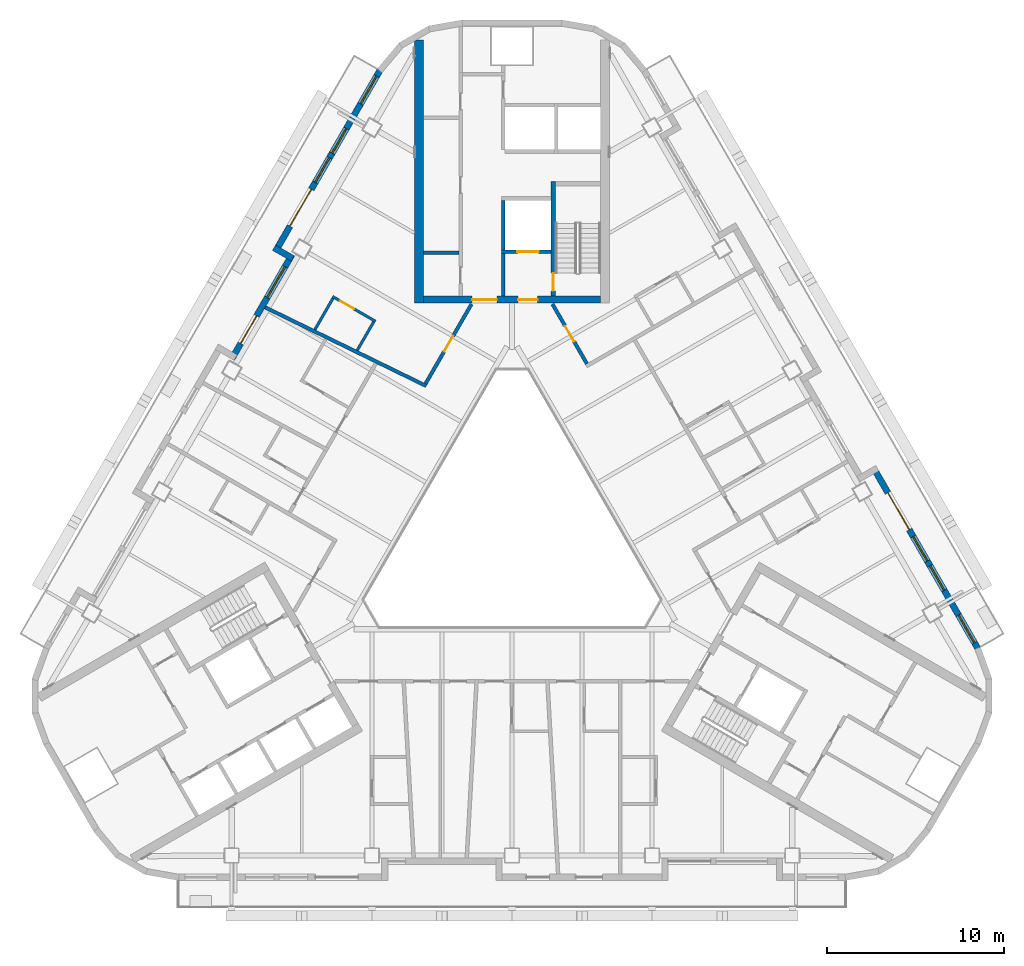
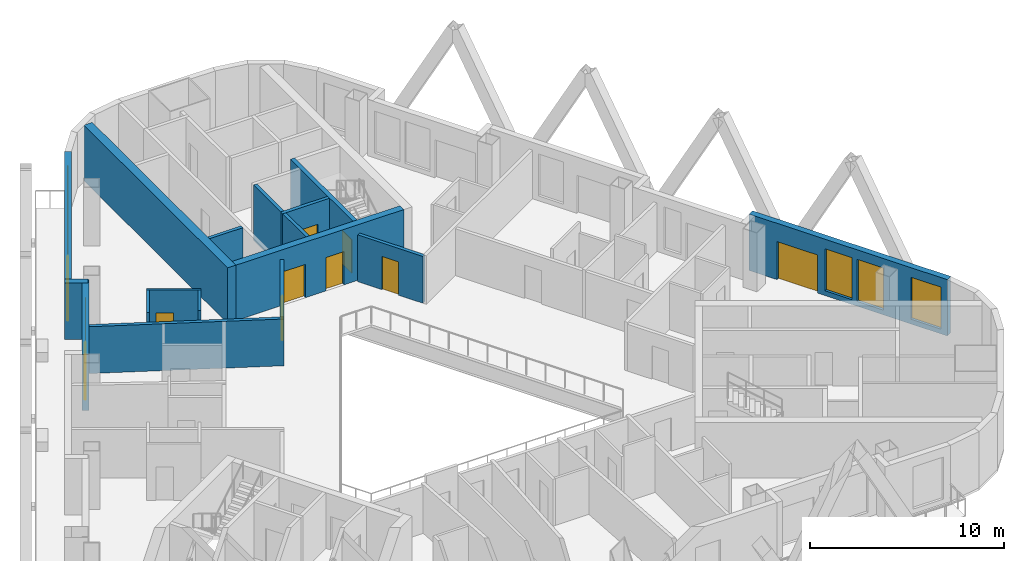
# One storey, part 9 of 17: 17 walls, 10 doors, 7 windows, 17 openings.
"""IFC4 building model written with IfcOpenShell, lengths in metres."""

from ifc_helpers import new_model, si_unit, direction, frame, frame_2d, origin, place, context, subcontext, project, spatial, rectangle, extrude, material, layer, layer_set, type_object, element, fill, save


model = new_model("IFC4")

# Units and contexts
model_context = context("Model", 3, precision=1e-05, world=origin(), true_north=direction((0.0, 1.0)))
body_context = subcontext(model_context, "Body", "Model", "MODEL_VIEW")
ifc_project = project(units=[si_unit("LENGTHUNIT", "METRE"), si_unit("AREAUNIT", "SQUARE_METRE"), si_unit("VOLUMEUNIT", "CUBIC_METRE"), si_unit("PLANEANGLEUNIT", "RADIAN"), si_unit("MASSUNIT", "GRAM", prefix="KILO")], contexts=[model_context])

# Site, building, storey
site_placement = place(None, origin())
site = spatial("IfcSite", under=ifc_project, at=site_placement, CompositionType="ELEMENT")
building_placement = place(site_placement, origin())
building = spatial("IfcBuilding", under=site, at=building_placement, Name="Apuvela Tower Hotel", CompositionType="ELEMENT")
storey_placement = place(building_placement, frame((0.0, 0.0, 146.60009765625)))
storey = spatial("IfcBuildingStorey", under=building, at=storey_placement, Name="L34", CompositionType="ELEMENT", Elevation=146.60009765625)

# Wall, openings, doors
ifc_material_1 = material(Name="Concrete C50/60", Category="concrete")
ifc_layer_1 = layer(ifc_material_1, 0.39990234375)
ifc_layer_set_1 = layer_set([ifc_layer_1], Name="COR-WALL-CORE-400")
wall_type_1 = type_object("IfcWallType", Name="COR-WALL-CORE-400", PredefinedType="SHEAR", material=ifc_layer_set_1)
wall_1_placement = place(storey_placement, frame((5.0, 13.10009765625, 0.0), z_axis=(0.0, 0.0, 1.0), x_axis=(-1.0, 0.0, 0.0)))
wall_1 = element("IfcWall", 1, at=wall_1_placement, inside=storey, type_object=wall_type_1, Name="Core wall N", PredefinedType="SHEAR", context=body_context, shape_type="SweptSolid", body=[
    extrude(rectangle(XDim=10.0, YDim=0.39990234375, at=frame_2d((5.0, 0.0))), origin(), (0.0, 0.0, 1.0), 3.5),
])
opening_1_placement = place(wall_1_placement, frame((3.550048828125, 0.0, 0.0)))
opening_1 = element("IfcOpeningElement", 2, at=opening_1_placement, cuts=wall_1, Name="Opening N-FD", PredefinedType="OPENING", context=body_context, shape_type="SweptSolid", body=[
    extrude(rectangle(XDim=1.10009765625, YDim=2.10009765625, at=frame_2d((0.550048828125, 1.050048828125))), frame((0.0, 0.2099609375, 0.0), z_axis=(0.0, -1.0, 0.0), x_axis=(1.0, 0.0, 0.0)), (0.0, 0.0, 1.0), 0.419921875),
])
opening_2_placement = place(wall_1_placement, frame((5.85009765625, 0.0, 0.0)))
opening_2 = element("IfcOpeningElement", 3, at=opening_2_placement, cuts=wall_1, Name="Opening N-GD", PredefinedType="OPENING", context=body_context, shape_type="SweptSolid", body=[
    extrude(rectangle(XDim=1.39990234375, YDim=2.10009765625, at=frame_2d((0.699951171875, 1.050048828125))), frame((0.0, 0.2099609375, 0.0), z_axis=(0.0, -1.0, 0.0), x_axis=(1.0, 0.0, 0.0)), (0.0, 0.0, 1.0), 0.419921875),
])
ifc_material_2 = material(Name="Steel fire door, powder coated", Category="steel")
door_type_1 = type_object("IfcDoorType", Name="COR-FD-1100", OperationType="NOTDEFINED", PredefinedType="DOOR", material=ifc_material_2)
door_1_placement = place(opening_1_placement, frame((1.10009765625, 0.0, 0.0), z_axis=(0.0, 0.0, 1.0), x_axis=(-1.0, 0.0, 0.0)))
door_1 = element("IfcDoor", 4, at=door_1_placement, inside=storey, type_object=door_type_1, Name="Firefighting lobby door N-FD", OperationType="SINGLE_SWING_LEFT", OverallHeight=2.10009765625, OverallWidth=1.10009765625, PredefinedType="DOOR", context=body_context, shape_type="SweptSolid", body=[
    extrude(rectangle(XDim=1.10009765625, YDim=2.10009765625, at=frame_2d((0.550048828125, 1.050048828125))), frame((0.0, 0.02490234375, 0.0), z_axis=(0.0, -1.0, 0.0), x_axis=(1.0, 0.0, 0.0)), (0.0, 0.0, 1.0), 0.050048828125),
])
fill(opening_1, door_1)
ifc_material_3 = material(Name="Glazed steel fire door", Category="steel")
door_type_2 = type_object("IfcDoorType", Name="COR-GD-1400", OperationType="DOUBLE_DOOR_SINGLE_SWING", PredefinedType="DOOR", material=ifc_material_3)
door_2_placement = place(opening_2_placement, frame((1.39990234375, 0.0, 0.0), z_axis=(0.0, 0.0, 1.0), x_axis=(-1.0, 0.0, 0.0)))
door_2 = element("IfcDoor", 5, at=door_2_placement, inside=storey, type_object=door_type_2, Name="Lift lobby door N-GD", OperationType="DOUBLE_DOOR_SINGLE_SWING", OverallHeight=2.10009765625, OverallWidth=1.39990234375, PredefinedType="DOOR", context=body_context, shape_type="SweptSolid", body=[
    extrude(rectangle(XDim=1.39990234375, YDim=2.10009765625, at=frame_2d((0.699951171875, 1.050048828125))), frame((0.0, 0.02490234375, 0.0), z_axis=(0.0, -1.0, 0.0), x_axis=(1.0, 0.0, 0.0)), (0.0, 0.0, 1.0), 0.050048828125),
])
fill(opening_2, door_2)

# Wall
ifc_layer_2 = layer(ifc_material_1, 0.5)
ifc_layer_set_2 = layer_set([ifc_layer_2], Name="COR-WALL-CORE-500")
wall_type_2 = type_object("IfcWallType", Name="COR-WALL-CORE-500", PredefinedType="SHEAR", material=ifc_layer_set_2)
wall_2_placement = place(storey_placement, frame((-5.25, 12.89990234375, 0.0), z_axis=(0.0, 0.0, 1.0), x_axis=(0.0, 1.0, 0.0)))
element("IfcWall", 6, at=wall_2_placement, inside=storey, type_object=wall_type_2, Name="Core wall N", PredefinedType="SHEAR", context=body_context, shape_type="SweptSolid", body=[
    extrude(rectangle(XDim=14.8369140625, YDim=0.5, at=frame_2d((7.41845703125, 0.0))), origin(), (0.0, 0.0, 1.0), 3.5),
])

# Wall, opening, door
ifc_layer_3 = layer(ifc_material_1, 0.199951171875)
ifc_layer_set_3 = layer_set([ifc_layer_3], Name="COR-WALL-SHAFT-200")
wall_type_3 = type_object("IfcWallType", Name="COR-WALL-SHAFT-200", PredefinedType="SHEAR", material=ifc_layer_set_3)
wall_3_placement = place(storey_placement, frame((2.199951171875, 15.800048828125, 0.0), z_axis=(0.0, 0.0, 1.0), x_axis=(-1.0, 0.0, 0.0)))
wall_3 = element("IfcWall", 7, at=wall_3_placement, inside=storey, type_object=wall_type_3, Name="Shaft wall N", PredefinedType="SHEAR", context=body_context, shape_type="SweptSolid", body=[
    extrude(rectangle(XDim=2.800048828125, YDim=0.199951171875, at=frame_2d((1.39990234375, 0.0))), origin(), (0.0, 0.0, 1.0), 3.5),
])
opening_3_placement = place(wall_3_placement, frame((0.699951171875, 0.0, 0.0)))
opening_3 = element("IfcOpeningElement", 8, at=opening_3_placement, cuts=wall_3, Name="Opening N-LD-FS1", PredefinedType="OPENING", context=body_context, shape_type="SweptSolid", body=[
    extrude(rectangle(XDim=1.199951171875, YDim=2.10009765625, at=frame_2d((0.60009765625, 1.050048828125))), frame((0.0, 0.10986328125, 0.0), z_axis=(0.0, -1.0, 0.0), x_axis=(1.0, 0.0, 0.0)), (0.0, 0.0, 1.0), 0.219970703125),
])
ifc_material_4 = material(Name="Stainless steel lift landing door", Category="steel")
door_type_3 = type_object("IfcDoorType", Name="COR-LD-1200", OperationType="DOUBLE_DOOR_SLIDING", PredefinedType="DOOR", material=ifc_material_4)
door_3_placement = place(opening_3_placement, origin())
door_3 = element("IfcDoor", 9, at=door_3_placement, inside=storey, type_object=door_type_3, Name="Lift landing door N-LD-FS1", OperationType="DOUBLE_DOOR_SLIDING", OverallHeight=2.10009765625, OverallWidth=1.199951171875, PredefinedType="DOOR", context=body_context, shape_type="SweptSolid", body=[
    extrude(rectangle(XDim=1.199951171875, YDim=2.10009765625, at=frame_2d((0.60009765625, 1.050048828125))), frame((0.0, 0.02490234375, 0.0), z_axis=(0.0, -1.0, 0.0), x_axis=(1.0, 0.0, 0.0)), (0.0, 0.0, 1.0), 0.050048828125),
])
fill(opening_3, door_3)

# Walls
wall_4_placement = place(storey_placement, frame((-0.5, 15.89990234375, 0.0), z_axis=(0.0, 0.0, 1.0), x_axis=(0.0, 1.0, 0.0)))
element("IfcWall", 10, at=wall_4_placement, inside=storey, type_object=wall_type_3, Name="Shaft wall N", PredefinedType="SHEAR", context=body_context, shape_type="SweptSolid", body=[
    extrude(rectangle(XDim=2.800048828125, YDim=0.199951171875, at=frame_2d((1.39990234375, 0.0))), origin(), (0.0, 0.0, 1.0), 3.5),
])
wall_5_placement = place(storey_placement, frame((-0.5, 13.300048828125, 0.0), z_axis=(0.0, 0.0, 1.0), x_axis=(0.0, 1.0, 0.0)))
element("IfcWall", 11, at=wall_5_placement, inside=storey, type_object=wall_type_3, Name="Shaft wall N", PredefinedType="SHEAR", context=body_context, shape_type="SweptSolid", body=[
    extrude(rectangle(XDim=2.39990234375, YDim=0.199951171875, at=frame_2d((1.199951171875, 0.0))), origin(), (0.0, 0.0, 1.0), 3.5),
])
wall_6_placement = place(storey_placement, frame((-3.0, 15.739990234375, 0.0), z_axis=(0.0, 0.0, 1.0), x_axis=(-1.0, 0.0, 0.0)))
element("IfcWall", 12, at=wall_6_placement, inside=storey, type_object=wall_type_3, Name="Shaft wall N", PredefinedType="SHEAR", context=body_context, shape_type="SweptSolid", body=[
    extrude(rectangle(XDim=2.0, YDim=0.199951171875, at=frame_2d((1.0, 0.0))), origin(), (0.0, 0.0, 1.0), 3.5),
])

# Wall, opening, door
ifc_layer_4 = layer(ifc_material_1, 0.25)
ifc_layer_set_4 = layer_set([ifc_layer_4], Name="COR-WALL-STAIR-250")
wall_type_4 = type_object("IfcWallType", Name="COR-WALL-STAIR-250", PredefinedType="SHEAR", material=ifc_layer_set_4)
wall_7_placement = place(storey_placement, frame((2.324951171875, 13.300048828125, 0.0), z_axis=(0.0, 0.0, 1.0), x_axis=(0.0, 1.0, 0.0)))
wall_7 = element("IfcWall", 13, at=wall_7_placement, inside=storey, type_object=wall_type_4, Name="Stair wall N", PredefinedType="SHEAR", context=body_context, shape_type="SweptSolid", body=[
    extrude(rectangle(XDim=6.449951171875, YDim=0.25, at=frame_2d((3.22509765625, 0.0))), origin(), (0.0, 0.0, 1.0), 3.5),
])
opening_4_placement = place(wall_7_placement, frame((0.300048828125, 0.0, 0.0)))
opening_4 = element("IfcOpeningElement", 14, at=opening_4_placement, cuts=wall_7, Name="Opening N-SD", PredefinedType="OPENING", context=body_context, shape_type="SweptSolid", body=[
    extrude(rectangle(XDim=1.0, YDim=2.10009765625, at=frame_2d((0.5, 1.050048828125))), frame((0.0, 0.135009765625, 0.0), z_axis=(0.0, -1.0, 0.0), x_axis=(1.0, 0.0, 0.0)), (0.0, 0.0, 1.0), 0.27001953125),
])
door_type_4 = type_object("IfcDoorType", Name="COR-SD-1000", OperationType="NOTDEFINED", PredefinedType="DOOR", material=ifc_material_2)
door_4_placement = place(opening_4_placement, frame((1.0, 0.0, 0.0), z_axis=(0.0, 0.0, 1.0), x_axis=(-1.0, 0.0, 0.0)))
door_4 = element("IfcDoor", 15, at=door_4_placement, inside=storey, type_object=door_type_4, Name="Stair door N-SD", OperationType="SINGLE_SWING_LEFT", OverallHeight=2.10009765625, OverallWidth=1.0, PredefinedType="DOOR", context=body_context, shape_type="SweptSolid", body=[
    extrude(rectangle(XDim=1.0, YDim=2.10009765625, at=frame_2d((0.5, 1.050048828125))), frame((0.0, 0.02490234375, 0.0), z_axis=(0.0, -1.0, 0.0), x_axis=(1.0, 0.0, 0.0)), (0.0, 0.0, 1.0), 0.050048828125),
])
fill(opening_4, door_4)

# Wall, openings, door, windows
ifc_material_5 = material(Name="Concrete C40/50, dark pigmented precast panel", Category="concrete")
ifc_layer_5 = layer(ifc_material_5, 0.35009765625)
ifc_layer_set_5 = layer_set([ifc_layer_5], Name="ENV-WALL-350")
wall_type_5 = type_object("IfcWallType", Name="ENV-WALL-350", PredefinedType="SOLIDWALL", material=ifc_layer_set_5)
wall_8_placement = place(storey_placement, frame((-7.440673828125, 26.0224609375, 0.0), z_axis=(0.0, 0.0, 1.0), x_axis=(-0.499992533062, -0.86602971478, 0.0)))
wall_8 = element("IfcWall", 16, at=wall_8_placement, inside=storey, type_object=wall_type_5, Name="External wall L34-01", PredefinedType="SOLIDWALL", context=body_context, shape_type="SweptSolid", body=[
    extrude(rectangle(XDim=11.815673828125, YDim=0.35009765625, at=frame_2d((5.90771484375, 0.0))), origin(), (0.0, 0.0, 1.0), 3.5498046875),
])
opening_5_placement = place(wall_8_placement, frame((0.381103515625, 0.0, 0.300048828125)))
opening_5 = element("IfcOpeningElement", 17, at=opening_5_placement, cuts=wall_8, Name="Opening WN18", PredefinedType="OPENING", context=body_context, shape_type="SweptSolid", body=[
    extrude(rectangle(XDim=1.800048828125, YDim=2.64990234375, at=frame_2d((0.89990234375, 1.324951171875))), frame((0.0, 0.18505859375, 0.0), z_axis=(0.0, -1.0, 0.0), x_axis=(1.0, 0.0, 0.0)), (0.0, 0.0, 1.0), 0.3701171875),
])
opening_6_placement = place(wall_8_placement, frame((7.740478515625, 0.0, 0.0)))
opening_6 = element("IfcOpeningElement", 18, at=opening_6_placement, cuts=wall_8, Name="Opening BD24", PredefinedType="OPENING", context=body_context, shape_type="SweptSolid", body=[
    extrude(rectangle(XDim=2.39990234375, YDim=2.39990234375, at=frame_2d((1.199951171875, 1.199951171875))), frame((0.0, 0.18505859375, 0.0), z_axis=(0.0, -1.0, 0.0), x_axis=(1.0, 0.0, 0.0)), (0.0, 0.0, 1.0), 0.3701171875),
])
opening_7_placement = place(wall_8_placement, frame((3.791015625, 0.0, 0.300048828125)))
opening_7 = element("IfcOpeningElement", 19, at=opening_7_placement, cuts=wall_8, Name="Opening WN16", PredefinedType="OPENING", context=body_context, shape_type="SweptSolid", body=[
    extrude(rectangle(XDim=1.60009765625, YDim=2.64990234375, at=frame_2d((0.800048828125, 1.324951171875))), frame((0.0, 0.18505859375, 0.0), z_axis=(0.0, -1.0, 0.0), x_axis=(1.0, 0.0, 0.0)), (0.0, 0.0, 1.0), 0.3701171875),
])
opening_8_placement = place(wall_8_placement, frame((5.69091796875, 0.0, 0.300048828125)))
opening_8 = element("IfcOpeningElement", 20, at=opening_8_placement, cuts=wall_8, Name="Opening WN16", PredefinedType="OPENING", context=body_context, shape_type="SweptSolid", body=[
    extrude(rectangle(XDim=1.60009765625, YDim=2.64990234375, at=frame_2d((0.800048828125, 1.324951171875))), frame((0.0, 0.18505859375, 0.0), z_axis=(0.0, -1.0, 0.0), x_axis=(1.0, 0.0, 0.0)), (0.0, 0.0, 1.0), 0.3701171875),
])
ifc_material_6 = material(Name="Aluminium 6063-T6, dark bronze anodised frame with dark tinted laminated glass", Category="aluminium")
door_type_5 = type_object("IfcDoorType", Name="ENV-DOOR-BALCONY-2400x2400", OperationType="SLIDING_TO_LEFT", PredefinedType="DOOR", material=ifc_material_6)
door_5_placement = place(opening_6_placement, frame((2.39990234375, 0.0, 0.0), z_axis=(0.0, 0.0, 1.0), x_axis=(-1.0, 0.0, 0.0)))
door_5 = element("IfcDoor", 21, at=door_5_placement, inside=storey, type_object=door_type_5, Name="Balcony door BD24", OperationType="SLIDING_TO_LEFT", OverallHeight=2.39990234375, OverallWidth=2.39990234375, PredefinedType="DOOR", context=body_context, shape_type="SweptSolid", body=[
    extrude(rectangle(XDim=2.39990234375, YDim=2.39990234375, at=frame_2d((1.199951171875, 1.199951171875))), frame((0.0, 0.02490234375, 0.0), z_axis=(0.0, -1.0, 0.0), x_axis=(1.0, 0.0, 0.0)), (0.0, 0.0, 1.0), 0.050048828125),
])
fill(opening_6, door_5)
ifc_material_7 = material(Name="Glass, dark tinted laminated insulated glazing unit", Category="glass")
window_type_1 = type_object("IfcWindowType", Name="ENV-WIN-1600x2650", PartitioningType="SINGLE_PANEL", PredefinedType="WINDOW", material=ifc_material_7)
window_1_placement = place(opening_7_placement, origin())
window_1 = element("IfcWindow", 22, at=window_1_placement, inside=storey, type_object=window_type_1, Name="Window WN16", OverallHeight=2.64990234375, OverallWidth=1.60009765625, PartitioningType="SINGLE_PANEL", PredefinedType="WINDOW", context=body_context, shape_type="SweptSolid", body=[
    extrude(rectangle(XDim=1.60009765625, YDim=2.64990234375, at=frame_2d((0.800048828125, 1.324951171875))), frame((0.0, 0.030029296875, 0.0), z_axis=(0.0, -1.0, 0.0), x_axis=(1.0, 0.0, 0.0)), (0.0, 0.0, 1.0), 0.06005859375),
])
fill(opening_7, window_1)
window_2_placement = place(opening_8_placement, origin())
window_2 = element("IfcWindow", 23, at=window_2_placement, inside=storey, type_object=window_type_1, Name="Window WN16", OverallHeight=2.64990234375, OverallWidth=1.60009765625, PartitioningType="SINGLE_PANEL", PredefinedType="WINDOW", context=body_context, shape_type="SweptSolid", body=[
    extrude(rectangle(XDim=1.60009765625, YDim=2.64990234375, at=frame_2d((0.800048828125, 1.324951171875))), frame((0.0, 0.030029296875, 0.0), z_axis=(0.0, -1.0, 0.0), x_axis=(1.0, 0.0, 0.0)), (0.0, 0.0, 1.0), 0.06005859375),
])
fill(opening_8, window_2)
window_type_2 = type_object("IfcWindowType", Name="ENV-WIN-1800x2650", PartitioningType="SINGLE_PANEL", PredefinedType="WINDOW", material=ifc_material_7)
window_3_placement = place(opening_5_placement, origin())
window_3 = element("IfcWindow", 24, at=window_3_placement, inside=storey, type_object=window_type_2, Name="Window WN18", OverallHeight=2.64990234375, OverallWidth=1.800048828125, PartitioningType="SINGLE_PANEL", PredefinedType="WINDOW", context=body_context, shape_type="SweptSolid", body=[
    extrude(rectangle(XDim=1.800048828125, YDim=2.64990234375, at=frame_2d((0.89990234375, 1.324951171875))), frame((0.0, 0.030029296875, 0.0), z_axis=(0.0, -1.0, 0.0), x_axis=(1.0, 0.0, 0.0)), (0.0, 0.0, 1.0), 0.06005859375),
])
fill(opening_5, window_3)

# Wall
wall_9_placement = place(storey_placement, frame((-13.41259765625, 16.02880859375, 0.0), z_axis=(0.0, 0.0, 1.0), x_axis=(0.866005645448, -0.500034220881, 0.0)))
element("IfcWall", 25, at=wall_9_placement, inside=storey, type_object=wall_type_5, Name="External wall L34-02", PredefinedType="SOLIDWALL", context=body_context, shape_type="SweptSolid", body=[
    extrude(rectangle(XDim=1.22021484375, YDim=0.35009765625, at=frame_2d((0.610107421875, 0.0))), origin(), (0.0, 0.0, 1.0), 3.5498046875),
])

# Wall, openings, door, window
wall_10_placement = place(storey_placement, frame((-12.408935546875, 15.616943359375, 0.0), z_axis=(0.0, 0.0, 1.0), x_axis=(-0.500003597184, -0.866023326939, 0.0)))
wall_10 = element("IfcWall", 26, at=wall_10_placement, inside=storey, type_object=wall_type_5, Name="External wall L34-03", PredefinedType="SOLIDWALL", context=body_context, shape_type="SweptSolid", body=[
    extrude(rectangle(XDim=6.740234375, YDim=0.35009765625, at=frame_2d((3.3701171875, 0.0))), origin(), (0.0, 0.0, 1.0), 3.5498046875),
])
opening_9_placement = place(wall_10_placement, frame((0.77001953125, 0.0, 0.300048828125)))
opening_9 = element("IfcOpeningElement", 27, at=opening_9_placement, cuts=wall_10, Name="Opening WN20", PredefinedType="OPENING", context=body_context, shape_type="SweptSolid", body=[
    extrude(rectangle(XDim=2.0, YDim=2.64990234375, at=frame_2d((1.0, 1.324951171875))), frame((0.0, 0.18505859375, 0.0), z_axis=(0.0, -1.0, 0.0), x_axis=(1.0, 0.0, 0.0)), (0.0, 0.0, 1.0), 0.3701171875),
])
opening_10_placement = place(wall_10_placement, frame((3.963623046875, 0.0, 0.0)))
opening_10 = element("IfcOpeningElement", 28, at=opening_10_placement, cuts=wall_10, Name="Opening BD18", PredefinedType="OPENING", context=body_context, shape_type="SweptSolid", body=[
    extrude(rectangle(XDim=1.800048828125, YDim=2.39990234375, at=frame_2d((0.89990234375, 1.199951171875))), frame((0.0, 0.18505859375, 0.0), z_axis=(0.0, -1.0, 0.0), x_axis=(1.0, 0.0, 0.0)), (0.0, 0.0, 1.0), 0.3701171875),
])
door_type_6 = type_object("IfcDoorType", Name="ENV-DOOR-BALCONY-1800x2400", OperationType="SLIDING_TO_LEFT", PredefinedType="DOOR", material=ifc_material_6)
door_6_placement = place(opening_10_placement, frame((1.800048828125, 0.0, 0.0), z_axis=(0.0, 0.0, 1.0), x_axis=(-1.0, 0.0, 0.0)))
door_6 = element("IfcDoor", 29, at=door_6_placement, inside=storey, type_object=door_type_6, Name="Balcony door BD18", OperationType="SLIDING_TO_LEFT", OverallHeight=2.39990234375, OverallWidth=1.800048828125, PredefinedType="DOOR", context=body_context, shape_type="SweptSolid", body=[
    extrude(rectangle(XDim=1.800048828125, YDim=2.39990234375, at=frame_2d((0.89990234375, 1.199951171875))), frame((0.0, 0.02490234375, 0.0), z_axis=(0.0, -1.0, 0.0), x_axis=(1.0, 0.0, 0.0)), (0.0, 0.0, 1.0), 0.050048828125),
])
fill(opening_10, door_6)
window_type_3 = type_object("IfcWindowType", Name="ENV-WIN-2000x2650", PartitioningType="SINGLE_PANEL", PredefinedType="WINDOW", material=ifc_material_7)
window_4_placement = place(opening_9_placement, origin())
window_4 = element("IfcWindow", 30, at=window_4_placement, inside=storey, type_object=window_type_3, Name="Window WN20", OverallHeight=2.64990234375, OverallWidth=2.0, PartitioningType="SINGLE_PANEL", PredefinedType="WINDOW", context=body_context, shape_type="SweptSolid", body=[
    extrude(rectangle(XDim=2.0, YDim=2.64990234375, at=frame_2d((1.0, 1.324951171875))), frame((0.0, 0.030029296875, 0.0), z_axis=(0.0, -1.0, 0.0), x_axis=(1.0, 0.0, 0.0)), (0.0, 0.0, 1.0), 0.06005859375),
])
fill(opening_9, window_4)

# Wall, openings, door, windows
wall_11_placement = place(storey_placement, frame((26.256591796875, -6.5673828125, 0.0), z_axis=(0.0, 0.0, 1.0), x_axis=(-0.500023526245, 0.866011820475, 0.0)))
wall_11 = element("IfcWall", 31, at=wall_11_placement, inside=storey, type_object=wall_type_5, Name="External wall L34-33", PredefinedType="SOLIDWALL", context=body_context, shape_type="SweptSolid", body=[
    extrude(rectangle(XDim=11.81591796875, YDim=0.35009765625, at=frame_2d((5.907958984375, 0.0))), origin(), (0.0, 0.0, 1.0), 3.5498046875),
])
opening_11_placement = place(wall_11_placement, frame((0.380126953125, 0.0, 0.300048828125)))
opening_11 = element("IfcOpeningElement", 32, at=opening_11_placement, cuts=wall_11, Name="Opening WN18", PredefinedType="OPENING", context=body_context, shape_type="SweptSolid", body=[
    extrude(rectangle(XDim=1.800048828125, YDim=2.64990234375, at=frame_2d((0.89990234375, 1.324951171875))), frame((0.0, 0.18505859375, 0.0), z_axis=(0.0, -1.0, 0.0), x_axis=(1.0, 0.0, 0.0)), (0.0, 0.0, 1.0), 0.3701171875),
])
opening_12_placement = place(wall_11_placement, frame((7.7412109375, 0.0, 0.0)))
opening_12 = element("IfcOpeningElement", 33, at=opening_12_placement, cuts=wall_11, Name="Opening BD24", PredefinedType="OPENING", context=body_context, shape_type="SweptSolid", body=[
    extrude(rectangle(XDim=2.39990234375, YDim=2.39990234375, at=frame_2d((1.199951171875, 1.199951171875))), frame((0.0, 0.18505859375, 0.0), z_axis=(0.0, -1.0, 0.0), x_axis=(1.0, 0.0, 0.0)), (0.0, 0.0, 1.0), 0.3701171875),
])
opening_13_placement = place(wall_11_placement, frame((3.791015625, 0.0, 0.300048828125)))
opening_13 = element("IfcOpeningElement", 34, at=opening_13_placement, cuts=wall_11, Name="Opening WN16", PredefinedType="OPENING", context=body_context, shape_type="SweptSolid", body=[
    extrude(rectangle(XDim=1.60009765625, YDim=2.64990234375, at=frame_2d((0.800048828125, 1.324951171875))), frame((0.0, 0.18505859375, 0.0), z_axis=(0.0, -1.0, 0.0), x_axis=(1.0, 0.0, 0.0)), (0.0, 0.0, 1.0), 0.3701171875),
])
opening_14_placement = place(wall_11_placement, frame((5.69091796875, 0.0, 0.300048828125)))
opening_14 = element("IfcOpeningElement", 35, at=opening_14_placement, cuts=wall_11, Name="Opening WN16", PredefinedType="OPENING", context=body_context, shape_type="SweptSolid", body=[
    extrude(rectangle(XDim=1.60009765625, YDim=2.64990234375, at=frame_2d((0.800048828125, 1.324951171875))), frame((0.0, 0.18505859375, 0.0), z_axis=(0.0, -1.0, 0.0), x_axis=(1.0, 0.0, 0.0)), (0.0, 0.0, 1.0), 0.3701171875),
])
door_7_placement = place(opening_12_placement, frame((2.39990234375, 0.0, 0.0), z_axis=(0.0, 0.0, 1.0), x_axis=(-1.0, 0.0, 0.0)))
door_7 = element("IfcDoor", 36, at=door_7_placement, inside=storey, type_object=door_type_5, Name="Balcony door BD24", OperationType="SLIDING_TO_LEFT", OverallHeight=2.39990234375, OverallWidth=2.39990234375, PredefinedType="DOOR", context=body_context, shape_type="SweptSolid", body=[
    extrude(rectangle(XDim=2.39990234375, YDim=2.39990234375, at=frame_2d((1.199951171875, 1.199951171875))), frame((0.0, 0.02490234375, 0.0), z_axis=(0.0, -1.0, 0.0), x_axis=(1.0, 0.0, 0.0)), (0.0, 0.0, 1.0), 0.050048828125),
])
fill(opening_12, door_7)
window_5_placement = place(opening_13_placement, origin())
window_5 = element("IfcWindow", 37, at=window_5_placement, inside=storey, type_object=window_type_1, Name="Window WN16", OverallHeight=2.64990234375, OverallWidth=1.60009765625, PartitioningType="SINGLE_PANEL", PredefinedType="WINDOW", context=body_context, shape_type="SweptSolid", body=[
    extrude(rectangle(XDim=1.60009765625, YDim=2.64990234375, at=frame_2d((0.800048828125, 1.324951171875))), frame((0.0, 0.030029296875, 0.0), z_axis=(0.0, -1.0, 0.0), x_axis=(1.0, 0.0, 0.0)), (0.0, 0.0, 1.0), 0.06005859375),
])
fill(opening_13, window_5)
window_6_placement = place(opening_14_placement, origin())
window_6 = element("IfcWindow", 38, at=window_6_placement, inside=storey, type_object=window_type_1, Name="Window WN16", OverallHeight=2.64990234375, OverallWidth=1.60009765625, PartitioningType="SINGLE_PANEL", PredefinedType="WINDOW", context=body_context, shape_type="SweptSolid", body=[
    extrude(rectangle(XDim=1.60009765625, YDim=2.64990234375, at=frame_2d((0.800048828125, 1.324951171875))), frame((0.0, 0.030029296875, 0.0), z_axis=(0.0, -1.0, 0.0), x_axis=(1.0, 0.0, 0.0)), (0.0, 0.0, 1.0), 0.06005859375),
])
fill(opening_14, window_6)
window_7_placement = place(opening_11_placement, origin())
window_7 = element("IfcWindow", 39, at=window_7_placement, inside=storey, type_object=window_type_2, Name="Window WN18", OverallHeight=2.64990234375, OverallWidth=1.800048828125, PartitioningType="SINGLE_PANEL", PredefinedType="WINDOW", context=body_context, shape_type="SweptSolid", body=[
    extrude(rectangle(XDim=1.800048828125, YDim=2.64990234375, at=frame_2d((0.89990234375, 1.324951171875))), frame((0.0, 0.030029296875, 0.0), z_axis=(0.0, -1.0, 0.0), x_axis=(1.0, 0.0, 0.0)), (0.0, 0.0, 1.0), 0.06005859375),
])
fill(opening_11, window_7)

# Wall
ifc_material_8 = material(Name="Gypsum board partition on twin steel stud", Category="steel")
ifc_layer_6 = layer(ifc_material_8, 0.199951171875)
ifc_layer_set_6 = layer_set([ifc_layer_6], Name="GST-PW1")
wall_type_6 = type_object("IfcWallType", Name="GST-PW1", PredefinedType="PARTITIONING", material=ifc_layer_set_6)
wall_12_placement = place(storey_placement, frame((-13.9111328125, 12.6650390625, 0.0), z_axis=(0.0, 0.0, 1.0), x_axis=(0.898639294085, -0.438688293811, 0.0)))
element("IfcWall", 40, at=wall_12_placement, inside=storey, type_object=wall_type_6, Name="L34 partition 08", PredefinedType="PARTITIONING", context=body_context, shape_type="SweptSolid", body=[
    extrude(rectangle(XDim=10.104248046875, YDim=0.199951171875, at=frame_2d((5.05224609375, 0.0))), origin(), (0.0, 0.0, 1.0), 2.949951171875),
])

# Wall, opening, door
ifc_material_9 = material(Name="Gypsum board corridor wall on twin steel stud, acoustic", Category="steel")
ifc_layer_7 = layer(ifc_material_9, 0.199951171875)
ifc_layer_set_7 = layer_set([ifc_layer_7], Name="GST-PW2")
wall_type_7 = type_object("IfcWallType", Name="GST-PW2", PredefinedType="PARTITIONING", material=ifc_layer_set_7)
wall_13_placement = place(storey_placement, frame((2.280517578125, 12.85009765625, 0.0), z_axis=(0.0, 0.0, 1.0), x_axis=(0.500008716408, -0.866020371305, 0.0)))
wall_13 = element("IfcWall", 41, at=wall_13_placement, inside=storey, type_object=wall_type_7, Name="L34 partition 38", PredefinedType="PARTITIONING", context=body_context, shape_type="SweptSolid", body=[
    extrude(rectangle(XDim=3.88818359375, YDim=0.199951171875, at=frame_2d((1.944091796875, 0.0))), origin(), (0.0, 0.0, 1.0), 2.949951171875),
])
opening_15_placement = place(wall_13_placement, frame((1.444091796875, 0.0, 0.0)))
opening_15 = element("IfcOpeningElement", 42, at=opening_15_placement, cuts=wall_13, Name="Opening GD12-18", PredefinedType="OPENING", context=body_context, shape_type="SweptSolid", body=[
    extrude(rectangle(XDim=1.0, YDim=2.10009765625, at=frame_2d((0.5, 1.050048828125))), frame((0.0, 0.10986328125, 0.0), z_axis=(0.0, -1.0, 0.0), x_axis=(1.0, 0.0, 0.0)), (0.0, 0.0, 1.0), 0.219970703125),
])
ifc_material_10 = material(Name="Timber door leaf in steel frame", Category="steel")
door_type_7 = type_object("IfcDoorType", Name="GST-D1", OperationType="NOTDEFINED", PredefinedType="DOOR", material=ifc_material_10)
door_8_placement = place(opening_15_placement, origin())
door_8 = element("IfcDoor", 43, at=door_8_placement, inside=storey, type_object=door_type_7, Name="Door L34-18", OperationType="SINGLE_SWING_RIGHT", OverallHeight=2.10009765625, OverallWidth=1.0, PredefinedType="DOOR", context=body_context, shape_type="SweptSolid", body=[
    extrude(rectangle(XDim=1.0, YDim=2.10009765625, at=frame_2d((0.5, 1.050048828125))), frame((0.0, 0.02490234375, 0.0), z_axis=(0.0, -1.0, 0.0), x_axis=(1.0, 0.0, 0.0)), (0.0, 0.0, 1.0), 0.050048828125),
])
fill(opening_15, door_8)

wall_14_placement = place(storey_placement, frame((-4.87109375, 8.36328125, 0.0), z_axis=(0.0, 0.0, 1.0), x_axis=(0.500016142392, 0.86601608377, 0.0)))
wall_14 = element("IfcWall", 44, at=wall_14_placement, inside=storey, type_object=wall_type_7, Name="L34 partition 42", PredefinedType="PARTITIONING", context=body_context, shape_type="SweptSolid", body=[
    extrude(rectangle(XDim=5.180908203125, YDim=0.199951171875, at=frame_2d((2.59033203125, 0.0))), origin(), (0.0, 0.0, 1.0), 2.949951171875),
])
opening_16_placement = place(wall_14_placement, frame((2.09033203125, 0.0, 0.0)))
opening_16 = element("IfcOpeningElement", 45, at=opening_16_placement, cuts=wall_14, Name="Opening GD12-20", PredefinedType="OPENING", context=body_context, shape_type="SweptSolid", body=[
    extrude(rectangle(XDim=1.0, YDim=2.10009765625, at=frame_2d((0.5, 1.050048828125))), frame((0.0, 0.10986328125, 0.0), z_axis=(0.0, -1.0, 0.0), x_axis=(1.0, 0.0, 0.0)), (0.0, 0.0, 1.0), 0.219970703125),
])
door_9_placement = place(opening_16_placement, origin())
door_9 = element("IfcDoor", 46, at=door_9_placement, inside=storey, type_object=door_type_7, Name="Door L34-20", OperationType="SINGLE_SWING_LEFT", OverallHeight=2.10009765625, OverallWidth=1.0, PredefinedType="DOOR", context=body_context, shape_type="SweptSolid", body=[
    extrude(rectangle(XDim=1.0, YDim=2.10009765625, at=frame_2d((0.5, 1.050048828125))), frame((0.0, 0.02490234375, 0.0), z_axis=(0.0, -1.0, 0.0), x_axis=(1.0, 0.0, 0.0)), (0.0, 0.0, 1.0), 0.050048828125),
])
fill(opening_16, door_9)

ifc_material_11 = material(Name="Moisture-resistant gypsum board wet wall on steel stud", Category="steel")
ifc_layer_8 = layer(ifc_material_11, 0.14990234375)
ifc_layer_set_8 = layer_set([ifc_layer_8], Name="GST-PW3")
wall_type_8 = type_object("IfcWallType", Name="GST-PW3", PredefinedType="PARTITIONING", material=ifc_layer_set_8)
wall_15_placement = place(storey_placement, frame((-7.69189453125, 11.877197265625, 0.0), z_axis=(0.0, 0.0, 1.0), x_axis=(-0.866034573852, 0.49998411664, 0.0)))
wall_15 = element("IfcWall", 47, at=wall_15_placement, inside=storey, type_object=wall_type_8, Name="L34 partition 43", PredefinedType="PARTITIONING", context=body_context, shape_type="SweptSolid", body=[
    extrude(rectangle(XDim=2.7998046875, YDim=0.14990234375, at=frame_2d((1.39990234375, 0.0))), origin(), (0.0, 0.0, 1.0), 3.5498046875),
])
opening_17_placement = place(wall_15_placement, frame((1.39990234375, 0.0, 0.0)))
opening_17 = element("IfcOpeningElement", 48, at=opening_17_placement, cuts=wall_15, Name="Opening GD12-19", PredefinedType="OPENING", context=body_context, shape_type="SweptSolid", body=[
    extrude(rectangle(XDim=0.89990234375, YDim=2.10009765625, at=frame_2d((0.449951171875, 1.050048828125))), frame((0.0, 0.0849609375, 0.0), z_axis=(0.0, -1.0, 0.0), x_axis=(1.0, 0.0, 0.0)), (0.0, 0.0, 1.0), 0.169921875),
])
door_type_8 = type_object("IfcDoorType", Name="GST-D2", OperationType="NOTDEFINED", PredefinedType="DOOR", material=ifc_material_10)
door_10_placement = place(opening_17_placement, origin())
door_10 = element("IfcDoor", 49, at=door_10_placement, inside=storey, type_object=door_type_8, Name="Door L34-19", OperationType="SINGLE_SWING_RIGHT", OverallHeight=2.10009765625, OverallWidth=0.89990234375, PredefinedType="DOOR", context=body_context, shape_type="SweptSolid", body=[
    extrude(rectangle(XDim=0.89990234375, YDim=2.10009765625, at=frame_2d((0.449951171875, 1.050048828125))), frame((0.0, 0.02490234375, 0.0), z_axis=(0.0, -1.0, 0.0), x_axis=(1.0, 0.0, 0.0)), (0.0, 0.0, 1.0), 0.050048828125),
])
fill(opening_17, door_10)

# Walls
wall_16_placement = place(storey_placement, frame((-10.08935546875, 13.1748046875, 0.0), z_axis=(0.0, 0.0, 1.0), x_axis=(-0.499988401207, -0.866032100247, 0.0)))
element("IfcWall", 50, at=wall_16_placement, inside=storey, type_object=wall_type_8, Name="L34 partition 44", PredefinedType="PARTITIONING", context=body_context, shape_type="SweptSolid", body=[
    extrude(rectangle(XDim=2.03955078125, YDim=0.14990234375, at=frame_2d((1.019775390625, 0.0))), origin(), (0.0, 0.0, 1.0), 3.5498046875),
])
wall_17_placement = place(storey_placement, frame((-7.79443359375, 11.849609375, 0.0), z_axis=(0.0, 0.0, 1.0), x_axis=(-0.500003477455, -0.866023396066, 0.0)))
element("IfcWall", 51, at=wall_17_placement, inside=storey, type_object=wall_type_8, Name="L34 partition 45", PredefinedType="PARTITIONING", context=body_context, shape_type="SweptSolid", body=[
    extrude(rectangle(XDim=1.85498046875, YDim=0.14990234375, at=frame_2d((0.927490234375, 0.0))), origin(), (0.0, 0.0, 1.0), 3.5498046875),
])

save(model, "model.ifc")
